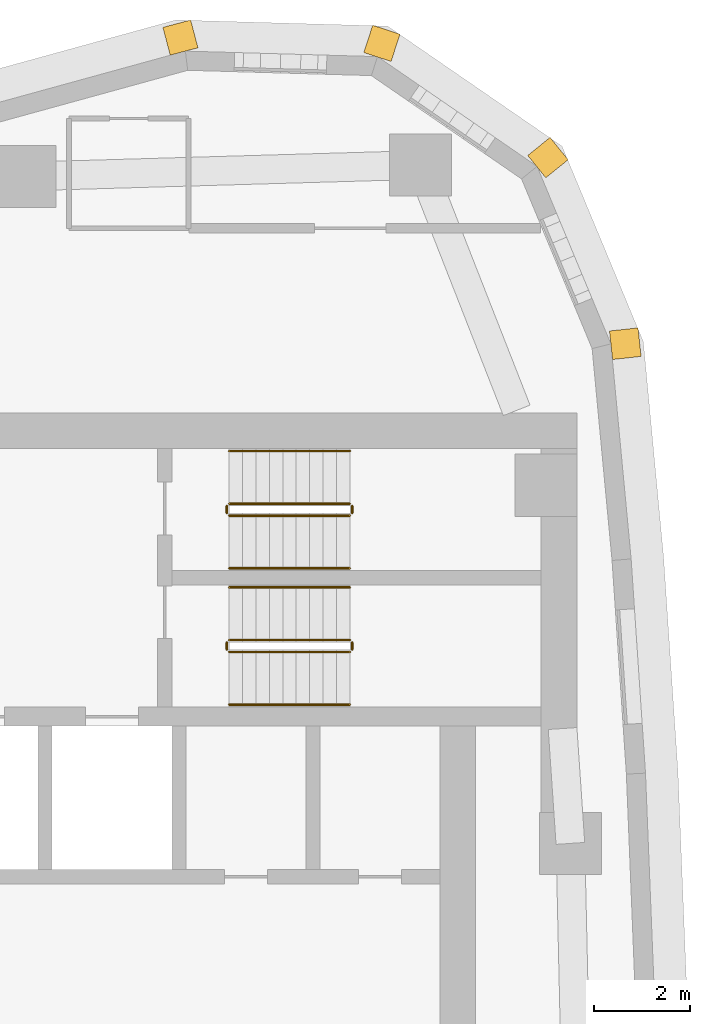
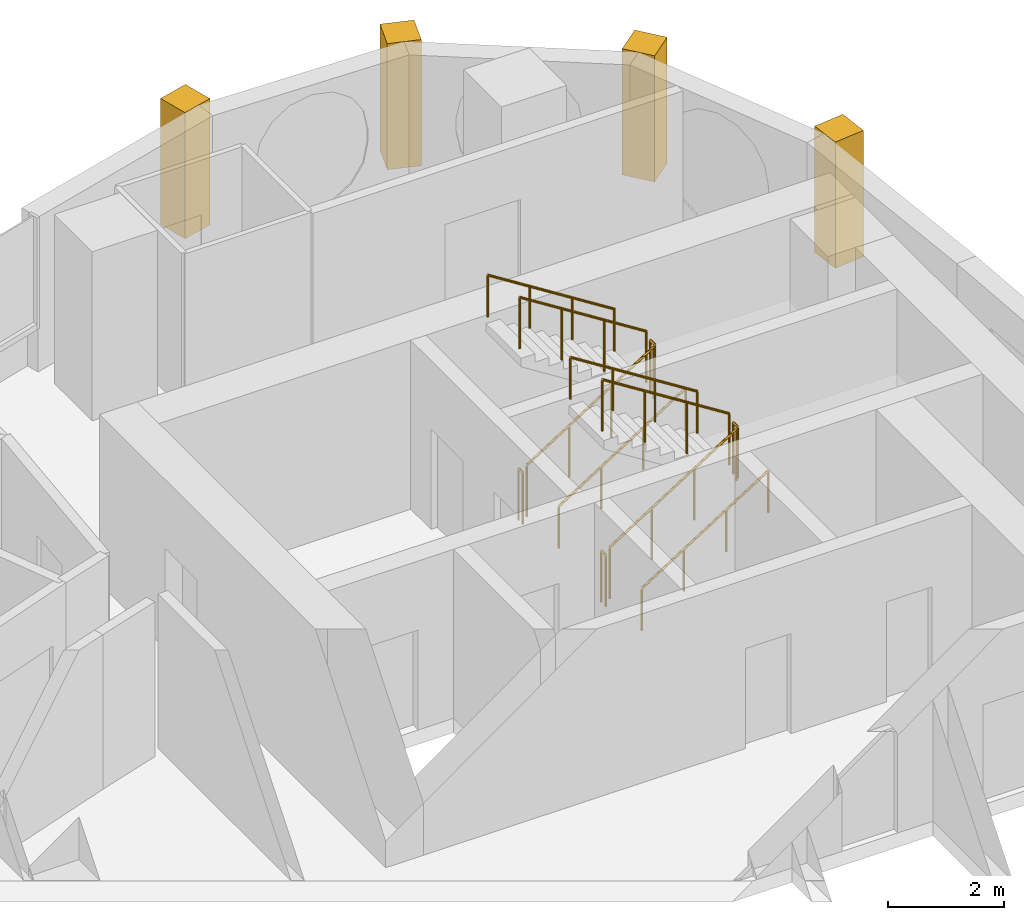
# One storey, part 17 of 17: 12 railings, 4 coverings.
"""IFC4 building model written with IfcOpenShell, lengths in metres."""

import ifcopenshell
import ifcopenshell.guid

model = None  # the IFC model being written
_history = None  # IfcOwnerHistory: only IFC2X3 demands one
_inside = {}  # id of a spatial element -> (the spatial element, [elements in it])
_under = {}  # id of a project, library or spatial element -> (it, [spatial elements below it])
_declared = {}  # id of a project -> (the project, [libraries it declares])
_typed = {}  # id of a type object -> (the type object, [elements of that type])
_made_of = {}  # id of a material, layer set ... -> (it, [elements and type objects made of it])


def new_model(schema):
    """Start an empty IFC model of exactly this schema.

    Asked for "IFC4X3", IfcOpenShell would pick the latest addendum, in which some entities
    have other attributes; the version numbers below select the first issue.
    IFC2X3 requires an IfcOwnerHistory on every rooted entity: one is made here for all.
    """
    global model, _history
    if schema == "IFC4X3":
        model = ifcopenshell.file(schema_version=(4, 3, 0, 0))
    else:
        model = ifcopenshell.file(schema=schema)
    _inside.clear()
    _under.clear()
    _declared.clear()
    _typed.clear()
    _made_of.clear()
    _history = None
    if model.schema == "IFC2X3":
        org = make("IfcOrganization", Name="unknown")
        user = make(
            "IfcPersonAndOrganization",
            ThePerson=make("IfcPerson", FamilyName="unknown"),
            TheOrganization=org,
        )
        app = make(
            "IfcApplication",
            ApplicationDeveloper=org,
            Version="unknown",
            ApplicationFullName="unknown",
            ApplicationIdentifier="unknown",
        )
        _history = make(
            "IfcOwnerHistory",
            OwningUser=user,
            OwningApplication=app,
            ChangeAction="ADDED",
            CreationDate=0,
        )
    return model


def make(cls, **values):
    """One entity of the class cls with the attributes given. An attribute that is None is left unset."""
    return model.create_entity(
        cls, **{name: value for name, value in values.items() if value is not None}
    )


def rooted(cls, **values):
    """An entity with a GlobalId (a new one), such as an element, a storey or a relation."""
    return make(cls, GlobalId=ifcopenshell.guid.new(), OwnerHistory=_history, **values)


def si_unit(unit_type, name, prefix=None):
    """IfcSIUnit, for example si_unit("LENGTHUNIT", "METRE", prefix="MILLI")."""
    return make("IfcSIUnit", UnitType=unit_type, Prefix=prefix, Name=name)


def assignment(units):
    """IfcUnitAssignment: the units of a project."""
    return None if units is None else make("IfcUnitAssignment", Units=units)


def point(xyz):
    """IfcCartesianPoint."""
    return None if xyz is None else make("IfcCartesianPoint", Coordinates=xyz)


def direction(xyz):
    """IfcDirection."""
    return None if xyz is None else make("IfcDirection", DirectionRatios=xyz)


def frame(location, z_axis=None, x_axis=None):
    """IfcAxis2Placement3D, a coordinate frame: its origin and axes. An axis left out is left unset."""
    return make(
        "IfcAxis2Placement3D",
        Location=point(location),
        Axis=direction(z_axis),
        RefDirection=direction(x_axis),
    )


def frame_2d(location, x_axis=None):
    """IfcAxis2Placement2D, a coordinate frame in the plane: its origin and x axis."""
    return make(
        "IfcAxis2Placement2D", Location=point(location), RefDirection=direction(x_axis)
    )


def origin():
    """The frame at (0, 0, 0) with its axes left unset."""
    return frame((0.0, 0.0, 0.0))


def origin_2d():
    """The frame at (0, 0) in the plane with its x axis left unset."""
    return frame_2d((0.0, 0.0))


def place(relative_to, where):
    """IfcLocalPlacement: puts the frame where relative to a parent placement (None: the world)."""
    return make(
        "IfcLocalPlacement", PlacementRelTo=relative_to, RelativePlacement=where
    )


def context(
    kind, dimensions, precision=None, world=None, true_north=None, identifier=None
):
    """IfcGeometricRepresentationContext, for example the 3D "Model" context."""
    return make(
        "IfcGeometricRepresentationContext",
        ContextIdentifier=identifier,
        ContextType=kind,
        CoordinateSpaceDimension=dimensions,
        Precision=precision,
        WorldCoordinateSystem=world,
        TrueNorth=true_north,
    )


def subcontext(parent, identifier, kind, view, scale=None):
    """IfcGeometricRepresentationSubContext, for example "Body" below "Model"."""
    return make(
        "IfcGeometricRepresentationSubContext",
        ContextIdentifier=identifier,
        ContextType=kind,
        ParentContext=parent,
        TargetScale=scale,
        TargetView=view,
    )


def project(units=None, contexts=None):
    """IfcProject with its units and contexts."""
    return rooted(
        "IfcProject",
        Name="project",
        RepresentationContexts=contexts,
        UnitsInContext=assignment(units),
    )


def spatial(cls, under=None, at=None, **own):
    """A site, building, storey or space (cls), placed at a placement, below another one or the project."""
    s = rooted(cls, ObjectPlacement=at, **own)
    if under is not None:
        _under.setdefault(under.id(), (under, []))[1].append(s)
    return s


def profile(cls, at=None, kind="AREA", **sizes):
    """A parametric profile (cls). Its sizes go by their IFC names, for example OverallWidth=200.0."""
    return make(cls, ProfileType=kind, Position=at, **sizes)


def rectangle(**sizes):
    """IfcRectangleProfileDef."""
    return profile("IfcRectangleProfileDef", **sizes)


def circle(**sizes):
    """IfcCircleProfileDef."""
    return profile("IfcCircleProfileDef", **sizes)


def extrude(swept, where, along, depth):
    """IfcExtrudedAreaSolid: the profile swept, set in the frame where, extruded along a direction by depth."""
    return make(
        "IfcExtrudedAreaSolid",
        SweptArea=swept,
        Position=where,
        ExtrudedDirection=direction(along),
        Depth=depth,
    )


def shape(context_of_items, identifier, shape_type, items):
    """IfcShapeRepresentation: the items that make up one representation, for example the "Body"."""
    return make(
        "IfcShapeRepresentation",
        ContextOfItems=context_of_items,
        RepresentationIdentifier=identifier,
        RepresentationType=shape_type,
        Items=items,
    )


def material(Name=None, Category=None):
    """IfcMaterial."""
    return make("IfcMaterial", Name=Name, Category=Category)


def layer(
    of_material, thickness, ventilated=None, Name=None, Category=None, Priority=None
):
    """IfcMaterialLayer: one layer of a wall or slab, of a material (None: an air gap)."""
    return make(
        "IfcMaterialLayer",
        Material=of_material,
        LayerThickness=thickness,
        IsVentilated=ventilated,
        Name=Name,
        Category=Category,
        Priority=Priority,
    )


def layer_set(layers, Name=None):
    """IfcMaterialLayerSet."""
    return make("IfcMaterialLayerSet", MaterialLayers=layers, LayerSetName=Name)


def made_of(thing, what):
    """Note that an element or type object is made of a material, layer set ...; save() writes the relation."""
    if what is not None:
        _made_of.setdefault(what.id(), (what, []))[1].append(thing)
    return thing


def type_object(cls, material=None, **own):
    """A type object (cls), such as IfcWallType, which elements share."""
    return made_of(rooted(cls, **own), material)


def element(
    cls,
    number,
    at=None,
    inside=None,
    cuts=None,
    type_object=None,
    material=None,
    context=None,
    identifier="Body",
    shape_type=None,
    held_by="IfcProductDefinitionShape",
    body=None,
    shapes=None,
    **own,
):
    """One element of the class cls, such as IfcWall. Its Tag is "e" and its number.

    at: its placement. inside: the storey or other place that contains it. cuts: it is an
    opening in that element (IfcRelVoidsElement). A single representation is given by context,
    identifier, shape_type and body (its items); several are given by shapes. held_by: the class
    of the entity that holds the representations. save() writes the other relations.
    """
    e = rooted(cls, Tag="e%d" % number, ObjectPlacement=at, **own)
    if body is not None:
        shapes = [shape(context, identifier, shape_type, body)]
    if shapes is not None:
        e.Representation = make(held_by, Representations=shapes)
    if inside is not None:
        _inside.setdefault(inside.id(), (inside, []))[1].append(e)
    if cuts is not None:
        rooted(
            "IfcRelVoidsElement", RelatingBuildingElement=cuts, RelatedOpeningElement=e
        )
    if type_object is not None:
        _typed.setdefault(type_object.id(), (type_object, []))[1].append(e)
    return made_of(e, material)


def aggregate(whole, parts):
    """IfcRelAggregates: a whole, such as a stair, and the parts it consists of."""
    return rooted("IfcRelAggregates", RelatingObject=whole, RelatedObjects=parts)


def save(model, path):
    """Write the relations noted so far, then the file.

    IfcRelAggregates (storeys below a building ...), IfcRelContainedInSpatialStructure (elements
    in a storey), IfcRelDefinesByType, IfcRelAssociatesMaterial and IfcRelDeclares: one each for
    every whole, place, type object, material and project.
    """
    for whole, parts in _under.values():
        aggregate(whole, parts)
    for where, things in _inside.values():
        rooted(
            "IfcRelContainedInSpatialStructure",
            RelatedElements=things,
            RelatingStructure=where,
        )
    for kind, things in _typed.values():
        rooted("IfcRelDefinesByType", RelatedObjects=things, RelatingType=kind)
    for what, things in _made_of.values():
        rooted("IfcRelAssociatesMaterial", RelatedObjects=things, RelatingMaterial=what)
    for by, libraries in _declared.values():
        rooted("IfcRelDeclares", RelatingContext=by, RelatedDefinitions=libraries)
    model.write(path)


model = new_model("IFC4")

# Units and contexts
model_context = context("Model", 3, precision=1e-05, world=origin(), true_north=direction((0.0, 1.0)))
body_context = subcontext(model_context, "Body", "Model", "MODEL_VIEW")
ifc_project = project(units=[si_unit("LENGTHUNIT", "METRE"), si_unit("AREAUNIT", "SQUARE_METRE"), si_unit("VOLUMEUNIT", "CUBIC_METRE"), si_unit("PLANEANGLEUNIT", "RADIAN"), si_unit("MASSUNIT", "GRAM", prefix="KILO")], contexts=[model_context])

# Site, building, storey
site_placement = place(None, origin())
site = spatial("IfcSite", under=ifc_project, at=site_placement, CompositionType="ELEMENT")
building_placement = place(site_placement, origin())
building = spatial("IfcBuilding", under=site, at=building_placement, Name="Ostrand Prow Hotel Tower", CompositionType="ELEMENT")
storey_placement = place(building_placement, frame((0.0, 0.0, 200.35009765625)))
storey = spatial("IfcBuildingStorey", under=building, at=storey_placement, Name="L50", CompositionType="ELEMENT", Elevation=200.35009765625)

# Coverings
ifc_material_1 = material(Name="Limestone cladding", Category="masonry")
ifc_layer = layer(ifc_material_1, 0.60009765625)
ifc_layer_set = layer_set([ifc_layer], Name="Limestone cladding")
covering_type = type_object("IfcCoveringType", Name="Precast stone prow rib 600x600", PredefinedType="CLADDING", material=ifc_layer_set)
for number, where, z_axis, x_axis, name in (
    (1, (65.18017578125, 17.9111328125, 0.599853515625), (0.0, 0.0, 1.0), (0.994255138911, 0.107036062846, 0.0), "Stone corner rib 13a"),
    (2, (63.6279296875, 21.643798828125, 0.599853515625), (0.0, 0.0, 1.0), (0.776922530767, 0.62959620487, 0.0), "Stone corner rib 14a"),
    (3, (60.297607421875, 23.935302734375, 0.599853515625), (0.0, 0.0, 1.0), (0.310484329644, 0.950578498098, 0.0), "Stone corner rib 15a"),
    (4, (56.256591796875, 24.05126953125, 0.599853515625), (0.0, 0.0, 1.0), (-0.255154261231, 0.966900358349, 0.0), "Stone corner rib 15b"),
):
    element("IfcCovering", number, at=place(storey_placement, frame(where, z_axis=z_axis, x_axis=x_axis)), inside=storey, type_object=covering_type, Name=name, PredefinedType="CLADDING", context=body_context, shape_type="SweptSolid", body=[
        extrude(rectangle(XDim=0.599853515625, YDim=0.60009765625, at=frame_2d((0.2998046875, 0.0))), origin(), (0.0, 0.0, 1.0), 2.650146484375),
    ])

# Railings
ifc_material_2 = material(Name="Painted steel", Category="steel")
railing_type_1 = type_object("IfcRailingType", Name="Stair guard 1100", PredefinedType="GUARDRAIL", material=ifc_material_2)
railing_1_placement = place(storey_placement, frame((57.199951171875, 11.5, 0.177490234375)))
element("IfcRailing", 5, at=railing_1_placement, inside=storey, type_object=railing_type_1, Name="L50 ST1C stair guard 1", PredefinedType="GUARDRAIL", context=body_context, shape_type="SweptSolid", body=[
    extrude(circle(Radius=0.02392578125, at=origin_2d()), frame((0.0, 0.0, 1.076171875), z_axis=(0.84460694969, 0.0, 0.535386869969), x_axis=(0.0, 1.0, 0.0)), (0.0, 0.0, 1.0), 2.983642578125),
    extrude(circle(Radius=0.02099609375, at=origin_2d()), origin(), (0.0, 0.0, 1.0), 1.052001953125),
    extrude(circle(Radius=0.02099609375, at=origin_2d()), frame((0.840087890625, 0.0, 0.532470703125)), (0.0, 0.0, 1.0), 1.052001953125),
    extrude(circle(Radius=0.02099609375, at=origin_2d()), frame((1.679931640625, 0.0, 1.06494140625)), (0.0, 0.0, 1.0), 1.052001953125),
    extrude(circle(Radius=0.02099609375, at=origin_2d()), frame((2.52001953125, 0.0, 1.597412109375)), (0.0, 0.0, 1.0), 1.052001953125),
])
railing_2_placement = place(storey_placement, frame((59.77001953125, 11.550048828125, 1.77490234375)))
element("IfcRailing", 6, at=railing_2_placement, inside=storey, type_object=railing_type_1, Name="L50 ST1C stair guard 2", PredefinedType="GUARDRAIL", context=body_context, shape_type="SweptSolid", body=[
    extrude(circle(Radius=0.02392578125, at=origin_2d()), frame((0.0, 0.0, 1.076171875), z_axis=(0.0, 1.0, 0.0), x_axis=(-1.0, 0.0, 0.0)), (0.0, 0.0, 1.0), 0.14990234375),
    extrude(circle(Radius=0.02099609375, at=origin_2d()), origin(), (0.0, 0.0, 1.0), 1.052001953125),
    extrude(circle(Radius=0.02099609375, at=origin_2d()), frame((0.0, 0.14990234375, 0.0)), (0.0, 0.0, 1.0), 1.052001953125),
])
railing_3_placement = place(storey_placement, frame((59.719970703125, 11.75, 1.952392578125)))
element("IfcRailing", 7, at=railing_3_placement, inside=storey, type_object=railing_type_1, Name="L50 ST1C stair guard 3", PredefinedType="GUARDRAIL", context=body_context, shape_type="SweptSolid", body=[
    extrude(circle(Radius=0.02392578125, at=origin_2d()), frame((0.0, 0.0, 1.076171875), z_axis=(-0.84460694969, 0.0, 0.535386869969), x_axis=(0.0, -1.0, 0.0)), (0.0, 0.0, 1.0), 2.983642578125),
    extrude(circle(Radius=0.02099609375, at=origin_2d()), origin(), (0.0, 0.0, 1.0), 1.052001953125),
    extrude(circle(Radius=0.02099609375, at=origin_2d()), frame((-0.840087890625, 0.0, 0.532470703125)), (0.0, 0.0, 1.0), 1.052001953125),
    extrude(circle(Radius=0.02099609375, at=origin_2d()), frame((-1.679931640625, 0.0, 1.06494140625)), (0.0, 0.0, 1.0), 1.052001953125),
    extrude(circle(Radius=0.02099609375, at=origin_2d()), frame((-2.52001953125, 0.0, 1.597412109375)), (0.0, 0.0, 1.0), 1.052001953125),
])
railing_4_placement = place(storey_placement, frame((57.14990234375, 11.550048828125, 0.0)))
element("IfcRailing", 8, at=railing_4_placement, inside=storey, type_object=railing_type_1, Name="L50 ST1C stair guard 4", PredefinedType="GUARDRAIL", context=body_context, shape_type="SweptSolid", body=[
    extrude(circle(Radius=0.02392578125, at=origin_2d()), frame((0.0, 0.0, 1.076171875), z_axis=(0.0, 1.0, 0.0), x_axis=(-1.0, 0.0, 0.0)), (0.0, 0.0, 1.0), 0.14990234375),
    extrude(circle(Radius=0.02099609375, at=origin_2d()), origin(), (0.0, 0.0, 1.0), 1.052001953125),
    extrude(circle(Radius=0.02099609375, at=origin_2d()), frame((0.0, 0.14990234375, 0.0)), (0.0, 0.0, 1.0), 1.052001953125),
])
railing_5_placement = place(storey_placement, frame((57.199951171875, 14.35009765625, 0.177490234375)))
element("IfcRailing", 9, at=railing_5_placement, inside=storey, type_object=railing_type_1, Name="L50 ST3C stair guard 1", PredefinedType="GUARDRAIL", context=body_context, shape_type="SweptSolid", body=[
    extrude(circle(Radius=0.02392578125, at=origin_2d()), frame((0.0, 0.0, 1.076171875), z_axis=(0.84460694969, 0.0, 0.535386869969), x_axis=(0.0, 1.0, 0.0)), (0.0, 0.0, 1.0), 2.983642578125),
    extrude(circle(Radius=0.02099609375, at=origin_2d()), origin(), (0.0, 0.0, 1.0), 1.052001953125),
    extrude(circle(Radius=0.02099609375, at=origin_2d()), frame((0.840087890625, 0.0, 0.532470703125)), (0.0, 0.0, 1.0), 1.052001953125),
    extrude(circle(Radius=0.02099609375, at=origin_2d()), frame((1.679931640625, 0.0, 1.06494140625)), (0.0, 0.0, 1.0), 1.052001953125),
    extrude(circle(Radius=0.02099609375, at=origin_2d()), frame((2.52001953125, 0.0, 1.597412109375)), (0.0, 0.0, 1.0), 1.052001953125),
])
railing_6_placement = place(storey_placement, frame((59.77001953125, 14.39990234375, 1.77490234375)))
element("IfcRailing", 10, at=railing_6_placement, inside=storey, type_object=railing_type_1, Name="L50 ST3C stair guard 2", PredefinedType="GUARDRAIL", context=body_context, shape_type="SweptSolid", body=[
    extrude(circle(Radius=0.02392578125, at=origin_2d()), frame((0.0, 0.0, 1.076171875), z_axis=(0.0, 1.0, 0.0), x_axis=(-1.0, 0.0, 0.0)), (0.0, 0.0, 1.0), 0.150146484375),
    extrude(circle(Radius=0.02099609375, at=origin_2d()), origin(), (0.0, 0.0, 1.0), 1.052001953125),
    extrude(circle(Radius=0.02099609375, at=origin_2d()), frame((0.0, 0.150146484375, 0.0)), (0.0, 0.0, 1.0), 1.052001953125),
])
railing_7_placement = place(storey_placement, frame((59.719970703125, 14.60009765625, 1.952392578125)))
element("IfcRailing", 11, at=railing_7_placement, inside=storey, type_object=railing_type_1, Name="L50 ST3C stair guard 3", PredefinedType="GUARDRAIL", context=body_context, shape_type="SweptSolid", body=[
    extrude(circle(Radius=0.02392578125, at=origin_2d()), frame((0.0, 0.0, 1.076171875), z_axis=(-0.84460694969, 0.0, 0.535386869969), x_axis=(0.0, -1.0, 0.0)), (0.0, 0.0, 1.0), 2.983642578125),
    extrude(circle(Radius=0.02099609375, at=origin_2d()), origin(), (0.0, 0.0, 1.0), 1.052001953125),
    extrude(circle(Radius=0.02099609375, at=origin_2d()), frame((-0.840087890625, 0.0, 0.532470703125)), (0.0, 0.0, 1.0), 1.052001953125),
    extrude(circle(Radius=0.02099609375, at=origin_2d()), frame((-1.679931640625, 0.0, 1.06494140625)), (0.0, 0.0, 1.0), 1.052001953125),
    extrude(circle(Radius=0.02099609375, at=origin_2d()), frame((-2.52001953125, 0.0, 1.597412109375)), (0.0, 0.0, 1.0), 1.052001953125),
])
railing_8_placement = place(storey_placement, frame((57.14990234375, 14.39990234375, 0.0)))
element("IfcRailing", 12, at=railing_8_placement, inside=storey, type_object=railing_type_1, Name="L50 ST3C stair guard 4", PredefinedType="GUARDRAIL", context=body_context, shape_type="SweptSolid", body=[
    extrude(circle(Radius=0.02392578125, at=origin_2d()), frame((0.0, 0.0, 1.076171875), z_axis=(0.0, 1.0, 0.0), x_axis=(-1.0, 0.0, 0.0)), (0.0, 0.0, 1.0), 0.150146484375),
    extrude(circle(Radius=0.02099609375, at=origin_2d()), origin(), (0.0, 0.0, 1.0), 1.052001953125),
    extrude(circle(Radius=0.02099609375, at=origin_2d()), frame((0.0, 0.150146484375, 0.0)), (0.0, 0.0, 1.0), 1.052001953125),
])
ifc_material_3 = material(Name="Stainless steel", Category="steel")
railing_type_2 = type_object("IfcRailingType", Name="Stair handrail 900", PredefinedType="HANDRAIL", material=ifc_material_3)
railing_9_placement = place(storey_placement, frame((57.199951171875, 10.39990234375, 0.177490234375)))
element("IfcRailing", 13, at=railing_9_placement, inside=storey, type_object=railing_type_2, Name="L50 ST1C stair handrail 1", PredefinedType="HANDRAIL", context=body_context, shape_type="SweptSolid", body=[
    extrude(circle(Radius=0.02392578125, at=origin_2d()), frame((0.0, 0.0, 0.8759765625), z_axis=(0.84460694969, 0.0, 0.535386869969), x_axis=(0.0, 1.0, 0.0)), (0.0, 0.0, 1.0), 2.983642578125),
    extrude(circle(Radius=0.02099609375, at=origin_2d()), origin(), (0.0, 0.0, 1.0), 0.851806640625),
    extrude(circle(Radius=0.02099609375, at=origin_2d()), frame((0.840087890625, 0.0, 0.532470703125)), (0.0, 0.0, 1.0), 0.851806640625),
    extrude(circle(Radius=0.02099609375, at=origin_2d()), frame((1.679931640625, 0.0, 1.06494140625)), (0.0, 0.0, 1.0), 0.851806640625),
    extrude(circle(Radius=0.02099609375, at=origin_2d()), frame((2.52001953125, 0.0, 1.597412109375)), (0.0, 0.0, 1.0), 0.851806640625),
])
railing_10_placement = place(storey_placement, frame((59.719970703125, 12.85009765625, 1.952392578125)))
element("IfcRailing", 14, at=railing_10_placement, inside=storey, type_object=railing_type_2, Name="L50 ST1C stair handrail 2", PredefinedType="HANDRAIL", context=body_context, shape_type="SweptSolid", body=[
    extrude(circle(Radius=0.02392578125, at=origin_2d()), frame((0.0, 0.0, 0.8759765625), z_axis=(-0.84460694969, 0.0, 0.535386869969), x_axis=(0.0, -1.0, 0.0)), (0.0, 0.0, 1.0), 2.983642578125),
    extrude(circle(Radius=0.02099609375, at=origin_2d()), origin(), (0.0, 0.0, 1.0), 0.851806640625),
    extrude(circle(Radius=0.02099609375, at=origin_2d()), frame((-0.840087890625, 0.0, 0.532470703125)), (0.0, 0.0, 1.0), 0.851806640625),
    extrude(circle(Radius=0.02099609375, at=origin_2d()), frame((-1.679931640625, 0.0, 1.06494140625)), (0.0, 0.0, 1.0), 0.851806640625),
    extrude(circle(Radius=0.02099609375, at=origin_2d()), frame((-2.52001953125, 0.0, 1.597412109375)), (0.0, 0.0, 1.0), 0.851806640625),
])
railing_11_placement = place(storey_placement, frame((57.199951171875, 13.25, 0.177490234375)))
element("IfcRailing", 15, at=railing_11_placement, inside=storey, type_object=railing_type_2, Name="L50 ST3C stair handrail 1", PredefinedType="HANDRAIL", context=body_context, shape_type="SweptSolid", body=[
    extrude(circle(Radius=0.02392578125, at=origin_2d()), frame((0.0, 0.0, 0.8759765625), z_axis=(0.84460694969, 0.0, 0.535386869969), x_axis=(0.0, 1.0, 0.0)), (0.0, 0.0, 1.0), 2.983642578125),
    extrude(circle(Radius=0.02099609375, at=origin_2d()), origin(), (0.0, 0.0, 1.0), 0.851806640625),
    extrude(circle(Radius=0.02099609375, at=origin_2d()), frame((0.840087890625, 0.0, 0.532470703125)), (0.0, 0.0, 1.0), 0.851806640625),
    extrude(circle(Radius=0.02099609375, at=origin_2d()), frame((1.679931640625, 0.0, 1.06494140625)), (0.0, 0.0, 1.0), 0.851806640625),
    extrude(circle(Radius=0.02099609375, at=origin_2d()), frame((2.52001953125, 0.0, 1.597412109375)), (0.0, 0.0, 1.0), 0.851806640625),
])
railing_12_placement = place(storey_placement, frame((59.719970703125, 15.699951171875, 1.952392578125)))
element("IfcRailing", 16, at=railing_12_placement, inside=storey, type_object=railing_type_2, Name="L50 ST3C stair handrail 2", PredefinedType="HANDRAIL", context=body_context, shape_type="SweptSolid", body=[
    extrude(circle(Radius=0.02392578125, at=origin_2d()), frame((0.0, 0.0, 0.8759765625), z_axis=(-0.84460694969, 0.0, 0.535386869969), x_axis=(0.0, -1.0, 0.0)), (0.0, 0.0, 1.0), 2.983642578125),
    extrude(circle(Radius=0.02099609375, at=origin_2d()), origin(), (0.0, 0.0, 1.0), 0.851806640625),
    extrude(circle(Radius=0.02099609375, at=origin_2d()), frame((-0.840087890625, 0.0, 0.532470703125)), (0.0, 0.0, 1.0), 0.851806640625),
    extrude(circle(Radius=0.02099609375, at=origin_2d()), frame((-1.679931640625, 0.0, 1.06494140625)), (0.0, 0.0, 1.0), 0.851806640625),
    extrude(circle(Radius=0.02099609375, at=origin_2d()), frame((-2.52001953125, 0.0, 1.597412109375)), (0.0, 0.0, 1.0), 0.851806640625),
])

save(model, "model.ifc")
